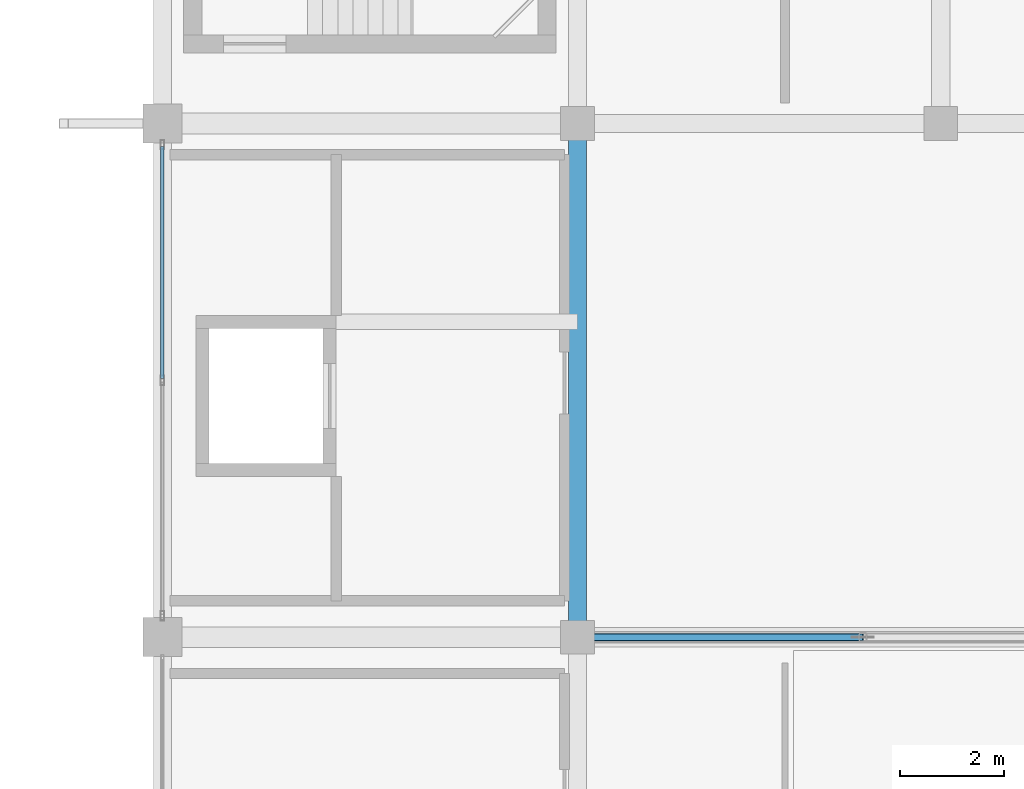
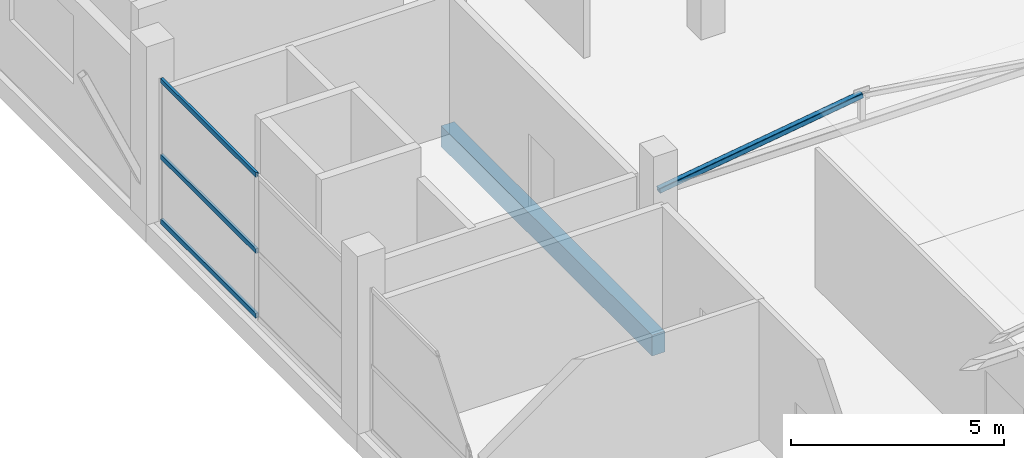
# One storey, part 27 of 67: 4 members, 1 beam, 1 element without a shape of its own.
"""IFC4 building model written with IfcOpenShell, lengths in metres."""

import ifcopenshell
import ifcopenshell.guid

model = None  # the IFC model being written
_history = None  # IfcOwnerHistory: only IFC2X3 demands one
_inside = {}  # id of a spatial element -> (the spatial element, [elements in it])
_under = {}  # id of a project, library or spatial element -> (it, [spatial elements below it])
_declared = {}  # id of a project -> (the project, [libraries it declares])
_typed = {}  # id of a type object -> (the type object, [elements of that type])
_made_of = {}  # id of a material, layer set ... -> (it, [elements and type objects made of it])


def new_model(schema):
    """Start an empty IFC model of exactly this schema.

    Asked for "IFC4X3", IfcOpenShell would pick the latest addendum, in which some entities
    have other attributes; the version numbers below select the first issue.
    IFC2X3 requires an IfcOwnerHistory on every rooted entity: one is made here for all.
    """
    global model, _history
    if schema == "IFC4X3":
        model = ifcopenshell.file(schema_version=(4, 3, 0, 0))
    else:
        model = ifcopenshell.file(schema=schema)
    _inside.clear()
    _under.clear()
    _declared.clear()
    _typed.clear()
    _made_of.clear()
    _history = None
    if model.schema == "IFC2X3":
        org = make("IfcOrganization", Name="unknown")
        user = make(
            "IfcPersonAndOrganization",
            ThePerson=make("IfcPerson", FamilyName="unknown"),
            TheOrganization=org,
        )
        app = make(
            "IfcApplication",
            ApplicationDeveloper=org,
            Version="unknown",
            ApplicationFullName="unknown",
            ApplicationIdentifier="unknown",
        )
        _history = make(
            "IfcOwnerHistory",
            OwningUser=user,
            OwningApplication=app,
            ChangeAction="ADDED",
            CreationDate=0,
        )
    return model


def make(cls, **values):
    """One entity of the class cls with the attributes given. An attribute that is None is left unset."""
    return model.create_entity(
        cls, **{name: value for name, value in values.items() if value is not None}
    )


def rooted(cls, **values):
    """An entity with a GlobalId (a new one), such as an element, a storey or a relation."""
    return make(cls, GlobalId=ifcopenshell.guid.new(), OwnerHistory=_history, **values)


def si_unit(unit_type, name, prefix=None):
    """IfcSIUnit, for example si_unit("LENGTHUNIT", "METRE", prefix="MILLI")."""
    return make("IfcSIUnit", UnitType=unit_type, Prefix=prefix, Name=name)


def assignment(units):
    """IfcUnitAssignment: the units of a project."""
    return None if units is None else make("IfcUnitAssignment", Units=units)


def point(xyz):
    """IfcCartesianPoint."""
    return None if xyz is None else make("IfcCartesianPoint", Coordinates=xyz)


def direction(xyz):
    """IfcDirection."""
    return None if xyz is None else make("IfcDirection", DirectionRatios=xyz)


def frame(location, z_axis=None, x_axis=None):
    """IfcAxis2Placement3D, a coordinate frame: its origin and axes. An axis left out is left unset."""
    return make(
        "IfcAxis2Placement3D",
        Location=point(location),
        Axis=direction(z_axis),
        RefDirection=direction(x_axis),
    )


def frame_2d(location, x_axis=None):
    """IfcAxis2Placement2D, a coordinate frame in the plane: its origin and x axis."""
    return make(
        "IfcAxis2Placement2D", Location=point(location), RefDirection=direction(x_axis)
    )


def origin():
    """The frame at (0, 0, 0) with its axes left unset."""
    return frame((0.0, 0.0, 0.0))


def origin_2d():
    """The frame at (0, 0) in the plane with its x axis left unset."""
    return frame_2d((0.0, 0.0))


def place(relative_to, where):
    """IfcLocalPlacement: puts the frame where relative to a parent placement (None: the world)."""
    return make(
        "IfcLocalPlacement", PlacementRelTo=relative_to, RelativePlacement=where
    )


def context(
    kind, dimensions, precision=None, world=None, true_north=None, identifier=None
):
    """IfcGeometricRepresentationContext, for example the 3D "Model" context."""
    return make(
        "IfcGeometricRepresentationContext",
        ContextIdentifier=identifier,
        ContextType=kind,
        CoordinateSpaceDimension=dimensions,
        Precision=precision,
        WorldCoordinateSystem=world,
        TrueNorth=true_north,
    )


def subcontext(parent, identifier, kind, view, scale=None):
    """IfcGeometricRepresentationSubContext, for example "Body" below "Model"."""
    return make(
        "IfcGeometricRepresentationSubContext",
        ContextIdentifier=identifier,
        ContextType=kind,
        ParentContext=parent,
        TargetScale=scale,
        TargetView=view,
    )


def project(units=None, contexts=None):
    """IfcProject with its units and contexts."""
    return rooted(
        "IfcProject",
        Name="project",
        RepresentationContexts=contexts,
        UnitsInContext=assignment(units),
    )


def spatial(cls, under=None, at=None, **own):
    """A site, building, storey or space (cls), placed at a placement, below another one or the project."""
    s = rooted(cls, ObjectPlacement=at, **own)
    if under is not None:
        _under.setdefault(under.id(), (under, []))[1].append(s)
    return s


def profile(cls, at=None, kind="AREA", **sizes):
    """A parametric profile (cls). Its sizes go by their IFC names, for example OverallWidth=200.0."""
    return make(cls, ProfileType=kind, Position=at, **sizes)


def rectangle(**sizes):
    """IfcRectangleProfileDef."""
    return profile("IfcRectangleProfileDef", **sizes)


def hollow_rectangle(**sizes):
    """IfcRectangleHollowProfileDef."""
    return profile("IfcRectangleHollowProfileDef", **sizes)


def extrude(swept, where, along, depth):
    """IfcExtrudedAreaSolid: the profile swept, set in the frame where, extruded along a direction by depth."""
    return make(
        "IfcExtrudedAreaSolid",
        SweptArea=swept,
        Position=where,
        ExtrudedDirection=direction(along),
        Depth=depth,
    )


def shape(context_of_items, identifier, shape_type, items):
    """IfcShapeRepresentation: the items that make up one representation, for example the "Body"."""
    return make(
        "IfcShapeRepresentation",
        ContextOfItems=context_of_items,
        RepresentationIdentifier=identifier,
        RepresentationType=shape_type,
        Items=items,
    )


def material(Name=None, Category=None):
    """IfcMaterial."""
    return make("IfcMaterial", Name=Name, Category=Category)


def layer(
    of_material, thickness, ventilated=None, Name=None, Category=None, Priority=None
):
    """IfcMaterialLayer: one layer of a wall or slab, of a material (None: an air gap)."""
    return make(
        "IfcMaterialLayer",
        Material=of_material,
        LayerThickness=thickness,
        IsVentilated=ventilated,
        Name=Name,
        Category=Category,
        Priority=Priority,
    )


def layer_set(layers, Name=None):
    """IfcMaterialLayerSet."""
    return make("IfcMaterialLayerSet", MaterialLayers=layers, LayerSetName=Name)


def material_profile(
    of_material, cross_section, Name=None, Category=None, Priority=None
):
    """IfcMaterialProfile: a cross section and its material."""
    return make(
        "IfcMaterialProfile",
        Name=Name,
        Material=of_material,
        Profile=cross_section,
        Priority=Priority,
        Category=Category,
    )


def profile_set(profiles, Name=None, composite=None):
    """IfcMaterialProfileSet."""
    return make(
        "IfcMaterialProfileSet",
        Name=Name,
        MaterialProfiles=profiles,
        CompositeProfile=composite,
    )


def made_of(thing, what):
    """Note that an element or type object is made of a material, layer set ...; save() writes the relation."""
    if what is not None:
        _made_of.setdefault(what.id(), (what, []))[1].append(thing)
    return thing


def type_object(cls, material=None, **own):
    """A type object (cls), such as IfcWallType, which elements share."""
    return made_of(rooted(cls, **own), material)


def element(
    cls,
    number,
    at=None,
    inside=None,
    cuts=None,
    type_object=None,
    material=None,
    context=None,
    identifier="Body",
    shape_type=None,
    held_by="IfcProductDefinitionShape",
    body=None,
    shapes=None,
    **own,
):
    """One element of the class cls, such as IfcWall. Its Tag is "e" and its number.

    at: its placement. inside: the storey or other place that contains it. cuts: it is an
    opening in that element (IfcRelVoidsElement). A single representation is given by context,
    identifier, shape_type and body (its items); several are given by shapes. held_by: the class
    of the entity that holds the representations. save() writes the other relations.
    """
    e = rooted(cls, Tag="e%d" % number, ObjectPlacement=at, **own)
    if body is not None:
        shapes = [shape(context, identifier, shape_type, body)]
    if shapes is not None:
        e.Representation = make(held_by, Representations=shapes)
    if inside is not None:
        _inside.setdefault(inside.id(), (inside, []))[1].append(e)
    if cuts is not None:
        rooted(
            "IfcRelVoidsElement", RelatingBuildingElement=cuts, RelatedOpeningElement=e
        )
    if type_object is not None:
        _typed.setdefault(type_object.id(), (type_object, []))[1].append(e)
    return made_of(e, material)


def aggregate(whole, parts):
    """IfcRelAggregates: a whole, such as a stair, and the parts it consists of."""
    return rooted("IfcRelAggregates", RelatingObject=whole, RelatedObjects=parts)


def save(model, path):
    """Write the relations noted so far, then the file.

    IfcRelAggregates (storeys below a building ...), IfcRelContainedInSpatialStructure (elements
    in a storey), IfcRelDefinesByType, IfcRelAssociatesMaterial and IfcRelDeclares: one each for
    every whole, place, type object, material and project.
    """
    for whole, parts in _under.values():
        aggregate(whole, parts)
    for where, things in _inside.values():
        rooted(
            "IfcRelContainedInSpatialStructure",
            RelatedElements=things,
            RelatingStructure=where,
        )
    for kind, things in _typed.values():
        rooted("IfcRelDefinesByType", RelatedObjects=things, RelatingType=kind)
    for what, things in _made_of.values():
        rooted("IfcRelAssociatesMaterial", RelatedObjects=things, RelatingMaterial=what)
    for by, libraries in _declared.values():
        rooted("IfcRelDeclares", RelatingContext=by, RelatedDefinitions=libraries)
    model.write(path)


model = new_model("IFC4")

# Units and contexts
model_context = context("Model", 3, precision=1e-05, world=origin(), true_north=direction((0.0, 1.0)))
body_context = subcontext(model_context, "Body", "Model", "MODEL_VIEW")
ifc_project = project(units=[si_unit("LENGTHUNIT", "METRE"), si_unit("AREAUNIT", "SQUARE_METRE"), si_unit("VOLUMEUNIT", "CUBIC_METRE"), si_unit("PLANEANGLEUNIT", "RADIAN"), si_unit("MASSUNIT", "GRAM", prefix="KILO")], contexts=[model_context])

# Site, building, storey
site_placement = place(None, origin())
site = spatial("IfcSite", under=ifc_project, at=site_placement, CompositionType="ELEMENT")
building_placement = place(site_placement, origin())
building = spatial("IfcBuilding", under=site, at=building_placement, Name="Sillaruma Civic Art Gallery", CompositionType="ELEMENT")
storey_placement = place(building_placement, frame((0.0, 0.0, 46.919921875)))
storey = spatial("IfcBuildingStorey", under=building, at=storey_placement, Name="L09", CompositionType="ELEMENT", Elevation=46.919921875)

# Beam
ifc_material_1 = material(Name="Concrete H35 (35 MPa)", Category="concrete")
ifc_material_profile_1 = material_profile(ifc_material_1, rectangle(XDim=0.35009765625, YDim=0.60009765625, at=origin_2d()), Name="RCB350x600")
ifc_profile_set_1 = profile_set([ifc_material_profile_1], Name="Concrete H35 (35 MPa)")
beam_type = type_object("IfcBeamType", Name="BM-BEAM-RCB350x600", PredefinedType="BEAM", material=ifc_profile_set_1)
beam_placement = place(storey_placement, frame((70.0, 69.300048828125, -0.5498046875), z_axis=(0.0, 1.0, 0.0), x_axis=(-1.0, 0.0, 0.0)))
element("IfcBeam", 1, at=beam_placement, inside=storey, type_object=beam_type, Name="Beam BM-06 (L08:G:8-9)", PredefinedType="BEAM", context=body_context, shape_type="SweptSolid", body=[
    extrude(rectangle(XDim=0.35009765625, YDim=0.60009765625, at=origin_2d()), origin(), (0.0, 0.0, 1.0), 9.89990234375),
])

# Member
ifc_material_2 = material(Name="Structural Steel ASTM A500 Gr.C", Category="steel")
ifc_material_profile_2 = material_profile(ifc_material_2, hollow_rectangle(XDim=0.14990234375, YDim=0.14990234375, WallThickness=0.010009765625, InnerFilletRadius=0.010009765625, OuterFilletRadius=0.02001953125, at=origin_2d()), Name="HSS150x150x10")
ifc_profile_set_2 = profile_set([ifc_material_profile_2], Name="Structural Steel ASTM A500 Gr.C")
member_type_1 = type_object("IfcMemberType", Name="MEM-BRACE-HSS150x150x10", PredefinedType="BRACE", material=ifc_profile_set_2)
member_1_placement = place(storey_placement, frame((70.0, 69.300048828125, 3.860107421875), z_axis=(0.989384036218, 0.0, 0.145324563914), x_axis=(0.0, 1.0, 0.0)))
element("IfcMember", 2, at=member_1_placement, inside=storey, type_object=member_type_1, Name="Warren Truss Diagonal TR-L09-3-D1", PredefinedType="BRACE", context=body_context, shape_type="SweptSolid", body=[
    extrude(hollow_rectangle(XDim=0.14990234375, YDim=0.14990234375, WallThickness=0.010009765625, InnerFilletRadius=0.010009765625, OuterFilletRadius=0.02001953125, at=origin_2d()), origin(), (0.0, 0.0, 1.0), 5.55908203125),
])

# Curtain wall, members
ifc_material_3 = material(Name="Thermally Broken Extruded Aluminium 6063-T6", Category="aluminium")
ifc_layer = layer(ifc_material_3, 0.179931640625, Name="Thermally Broken Extruded Aluminium 6063-T6")
ifc_layer_set = layer_set([ifc_layer], Name="Thermally Broken Extruded Aluminium 6063-T6")
curtain_wall_type = type_object("IfcCurtainWallType", Name="CW-UNI-66", PredefinedType="NOTDEFINED", material=ifc_layer_set)
curtain_wall_placement = place(storey_placement, origin())
curtain_wall = element("IfcCurtainWall", 3, at=curtain_wall_placement, inside=storey, type_object=curtain_wall_type, Name="Unitised Curtain Wall CW-66 (CW-L09-WBW-6)", PredefinedType="NOTDEFINED")
ifc_material_profile_3 = material_profile(ifc_material_3, hollow_rectangle(XDim=0.070068359375, YDim=0.139892578125, WallThickness=0.00390625, at=origin_2d()), Name="CWT70x140")
ifc_profile_set_3 = profile_set([ifc_material_profile_3], Name="Thermally Broken Extruded Aluminium 6063-T6")
member_type_2 = type_object("IfcMemberType", Name="MEM-TRN-CWT70x140", PredefinedType="USERDEFINED", material=ifc_profile_set_3)
member_2_placement = place(storey_placement, frame((62.0, 74.284912109375, 0.03515625), z_axis=(0.0, 1.0, 0.0), x_axis=(-1.0, 0.0, 0.0)))
member_2 = element("IfcMember", 4, at=member_2_placement, type_object=member_type_2, Name="CW-66 transom 2.1", ObjectType="TRANSOM", PredefinedType="USERDEFINED", context=body_context, shape_type="SweptSolid", body=[
    extrude(hollow_rectangle(XDim=0.070068359375, YDim=0.139892578125, WallThickness=0.00390625, at=origin_2d()), origin(), (0.0, 0.0, 1.0), 4.469970703125),
])
member_3_placement = place(storey_placement, frame((62.0, 74.284912109375, 1.885986328125), z_axis=(0.0, 1.0, 0.0), x_axis=(-1.0, 0.0, 0.0)))
member_3 = element("IfcMember", 5, at=member_3_placement, type_object=member_type_2, Name="CW-66 transom 2.2", ObjectType="TRANSOM", PredefinedType="USERDEFINED", context=body_context, shape_type="SweptSolid", body=[
    extrude(hollow_rectangle(XDim=0.070068359375, YDim=0.139892578125, WallThickness=0.00390625, at=origin_2d()), origin(), (0.0, 0.0, 1.0), 4.469970703125),
])
member_4_placement = place(storey_placement, frame((62.0, 74.284912109375, 4.065185546875), z_axis=(0.0, 1.0, 0.0), x_axis=(-1.0, 0.0, 0.0)))
member_4 = element("IfcMember", 6, at=member_4_placement, type_object=member_type_2, Name="CW-66 transom 2.3", ObjectType="TRANSOM", PredefinedType="USERDEFINED", context=body_context, shape_type="SweptSolid", body=[
    extrude(hollow_rectangle(XDim=0.070068359375, YDim=0.139892578125, WallThickness=0.00390625, at=origin_2d()), origin(), (0.0, 0.0, 1.0), 4.469970703125),
])
aggregate(curtain_wall, [member_2, member_3, member_4])

save(model, "model.ifc")
